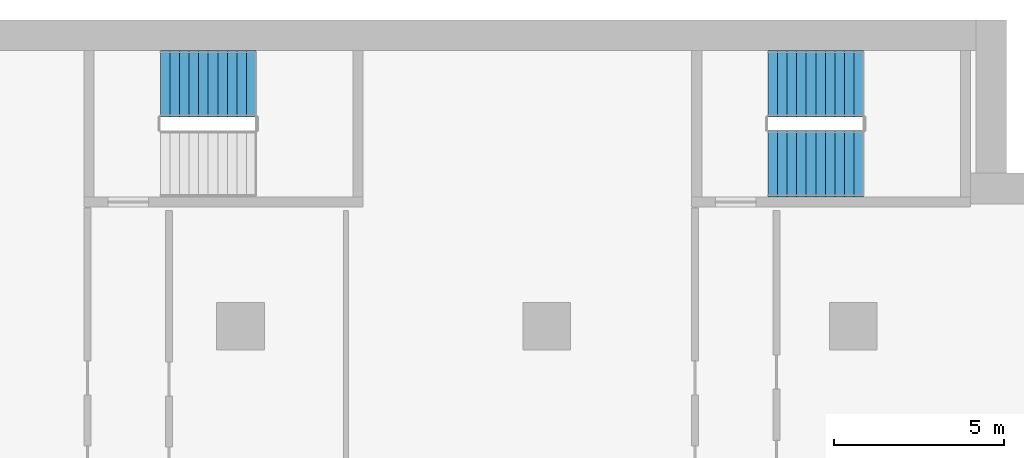
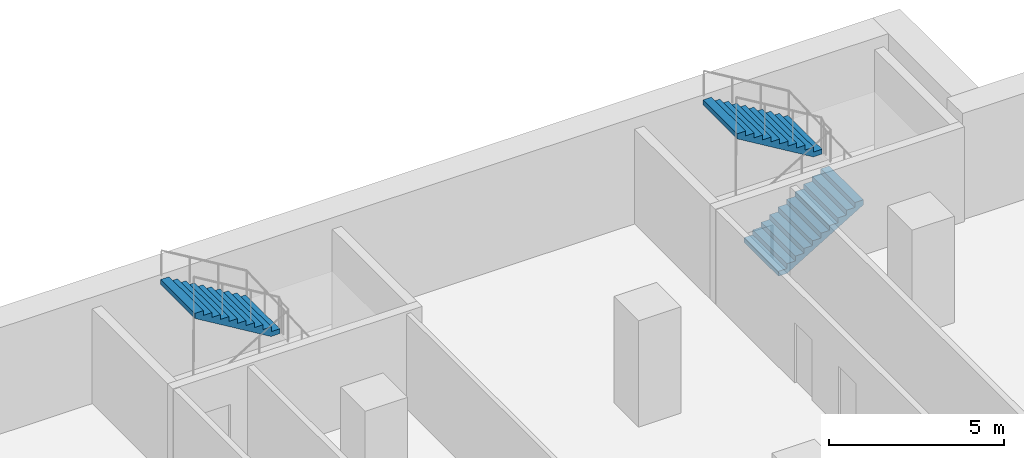
# One storey, part 23 of 29: 3 stair flights, 2 elements without a shape of their own.
"""IFC4 building model written with IfcOpenShell, lengths in metres."""

from ifc_helpers import new_model, si_unit, direction, frame, origin, place, context, subcontext, project, spatial, polyline, outline, extrude, material, type_object, element, aggregate, save


model = new_model("IFC4")

# Units and contexts
model_context = context("Model", 3, precision=1e-05, world=origin(), true_north=direction((0.0, 1.0)))
body_context = subcontext(model_context, "Body", "Model", "MODEL_VIEW")
ifc_project = project(units=[si_unit("LENGTHUNIT", "METRE"), si_unit("AREAUNIT", "SQUARE_METRE"), si_unit("VOLUMEUNIT", "CUBIC_METRE"), si_unit("PLANEANGLEUNIT", "RADIAN"), si_unit("MASSUNIT", "GRAM", prefix="KILO")], contexts=[model_context])

# Site, building, storey
site_placement = place(None, origin())
site = spatial("IfcSite", under=ifc_project, at=site_placement, CompositionType="ELEMENT")
building_placement = place(site_placement, origin())
building = spatial("IfcBuilding", under=site, at=building_placement, Name="Hunhe Ridgeline Campus", CompositionType="ELEMENT")
storey_placement = place(building_placement, frame((0.0, 0.0, 69.10009765625)))
storey = spatial("IfcBuildingStorey", under=building, at=storey_placement, Name="L16", CompositionType="ELEMENT", Elevation=69.10009765625)

# Stair, stair flight
ifc_material = material(Name="Concrete C40", Category="concrete")
stair_type = type_object("IfcStairType", Name="Reinforced concrete dog-leg stair 1950 Concrete C40", PredefinedType="HALF_TURN_STAIR", material=ifc_material)
stair_1_placement = place(storey_placement, origin())
stair_1 = element("IfcStair", 1, at=stair_1_placement, inside=storey, type_object=stair_type, Name="L16 E3", PredefinedType="HALF_TURN_STAIR")
stair_flight_type = type_object("IfcStairFlightType", Name="Reinforced concrete stair flight 1950 Concrete C40", PredefinedType="STRAIGHT", material=ifc_material)
stair_flight_1_placement = place(storey_placement, frame((72.449951171875, 97.125, 1.849853515625), z_axis=(0.0, 0.0, 1.0), x_axis=(-1.0, 0.0, 0.0)))
stair_flight_1 = element("IfcStairFlight", 2, at=stair_flight_1_placement, type_object=stair_flight_type, Name="ST7 flight 2", NumberOfRisers=11, NumberOfTreads=10, PredefinedType="STRAIGHT", RiserHeight=0.168181818, TreadLength=0.28, context=body_context, shape_type="SweptSolid", body=[
    extrude(outline(polyline([(0.0, 0.0), (0.0, 0.168212890625), (0.280029296875, 0.168212890625), (0.280029296875, 0.33642578125), (0.56005859375, 0.33642578125), (0.56005859375, 0.504638671875), (0.840087890625, 0.504638671875), (0.840087890625, 0.672607421875), (1.1201171875, 0.672607421875), (1.1201171875, 0.8408203125), (1.39990234375, 0.8408203125), (1.39990234375, 1.009033203125), (1.679931640625, 1.009033203125), (1.679931640625, 1.17724609375), (1.9599609375, 1.17724609375), (1.9599609375, 1.345458984375), (2.239990234375, 1.345458984375), (2.239990234375, 1.513671875), (2.52001953125, 1.513671875), (2.52001953125, 1.681884765625), (2.800048828125, 1.681884765625), (2.800048828125, 1.85009765625), (2.800048828125, 1.5068359375), (0.291015625, 0.0), (0.0, 0.0)])), frame((0.0, 0.97509765625, 0.0), z_axis=(0.0, -1.0, 0.0), x_axis=(1.0, 0.0, 0.0)), (0.0, 0.0, 1.0), 1.949951171875),
    extrude(outline(polyline([(0.030029296875, 0.030029296875), (0.030029296875, 0.13818359375), (0.31005859375, 0.13818359375), (0.31005859375, 0.306396484375), (0.590087890625, 0.306396484375), (0.590087890625, 0.474609375), (0.8701171875, 0.474609375), (0.8701171875, 0.642578125), (1.14990234375, 0.642578125), (1.14990234375, 0.810791015625), (1.429931640625, 0.810791015625), (1.429931640625, 0.97900390625), (1.7099609375, 0.97900390625), (1.7099609375, 1.147216796875), (1.989990234375, 1.147216796875), (1.989990234375, 1.3154296875), (2.27001953125, 1.3154296875), (2.27001953125, 1.483642578125), (2.550048828125, 1.483642578125), (2.550048828125, 1.65185546875), (2.77001953125, 1.65185546875), (2.77001953125, 1.52392578125), (0.28271484375, 0.030029296875), (0.030029296875, 0.030029296875)])), frame((0.0, -0.070068359375, 0.0), z_axis=(0.0, -1.0, 0.0), x_axis=(1.0, 0.0, 0.0)), (0.0, 0.0, 1.0), 0.019775390625),
    extrude(outline(polyline([(0.030029296875, 0.030029296875), (0.030029296875, 0.13818359375), (0.31005859375, 0.13818359375), (0.31005859375, 0.306396484375), (0.590087890625, 0.306396484375), (0.590087890625, 0.474609375), (0.8701171875, 0.474609375), (0.8701171875, 0.642578125), (1.14990234375, 0.642578125), (1.14990234375, 0.810791015625), (1.429931640625, 0.810791015625), (1.429931640625, 0.97900390625), (1.7099609375, 0.97900390625), (1.7099609375, 1.147216796875), (1.989990234375, 1.147216796875), (1.989990234375, 1.3154296875), (2.27001953125, 1.3154296875), (2.27001953125, 1.483642578125), (2.550048828125, 1.483642578125), (2.550048828125, 1.65185546875), (2.77001953125, 1.65185546875), (2.77001953125, 1.52392578125), (0.28271484375, 0.030029296875), (0.030029296875, 0.030029296875)])), frame((0.0, 0.010009765625, 0.0), z_axis=(0.0, -1.0, 0.0), x_axis=(1.0, 0.0, 0.0)), (0.0, 0.0, 1.0), 0.019775390625),
    extrude(outline(polyline([(0.030029296875, 0.030029296875), (0.030029296875, 0.13818359375), (0.31005859375, 0.13818359375), (0.31005859375, 0.306396484375), (0.590087890625, 0.306396484375), (0.590087890625, 0.474609375), (0.8701171875, 0.474609375), (0.8701171875, 0.642578125), (1.14990234375, 0.642578125), (1.14990234375, 0.810791015625), (1.429931640625, 0.810791015625), (1.429931640625, 0.97900390625), (1.7099609375, 0.97900390625), (1.7099609375, 1.147216796875), (1.989990234375, 1.147216796875), (1.989990234375, 1.3154296875), (2.27001953125, 1.3154296875), (2.27001953125, 1.483642578125), (2.550048828125, 1.483642578125), (2.550048828125, 1.65185546875), (2.77001953125, 1.65185546875), (2.77001953125, 1.52392578125), (0.28271484375, 0.030029296875), (0.030029296875, 0.030029296875)])), frame((0.0, 0.090087890625, 0.0), z_axis=(0.0, -1.0, 0.0), x_axis=(1.0, 0.0, 0.0)), (0.0, 0.0, 1.0), 0.019775390625),
])
aggregate(stair_1, [stair_flight_1])

# Stair, stair flights
stair_2_placement = place(storey_placement, origin())
stair_2 = element("IfcStair", 3, at=stair_2_placement, inside=storey, type_object=stair_type, Name="L16 E4", PredefinedType="HALF_TURN_STAIR")
stair_flight_2_placement = place(storey_placement, frame((87.5, 94.77490234375, 0.0), z_axis=(0.0, 0.0, 1.0), x_axis=(1.0, 0.0, 0.0)))
stair_flight_2 = element("IfcStairFlight", 4, at=stair_flight_2_placement, type_object=stair_flight_type, Name="ST8 flight 1", NumberOfRisers=11, NumberOfTreads=10, PredefinedType="STRAIGHT", RiserHeight=0.168181818, TreadLength=0.28, context=body_context, shape_type="SweptSolid", body=[
    extrude(outline(polyline([(0.0, 0.0), (0.0, 0.168212890625), (0.280029296875, 0.168212890625), (0.280029296875, 0.33642578125), (0.56005859375, 0.33642578125), (0.56005859375, 0.504638671875), (0.840087890625, 0.504638671875), (0.840087890625, 0.672607421875), (1.1201171875, 0.672607421875), (1.1201171875, 0.8408203125), (1.39990234375, 0.8408203125), (1.39990234375, 1.009033203125), (1.679931640625, 1.009033203125), (1.679931640625, 1.17724609375), (1.9599609375, 1.17724609375), (1.9599609375, 1.345458984375), (2.239990234375, 1.345458984375), (2.239990234375, 1.513671875), (2.52001953125, 1.513671875), (2.52001953125, 1.681884765625), (2.800048828125, 1.681884765625), (2.800048828125, 1.85009765625), (2.800048828125, 1.5068359375), (0.291015625, 0.0), (0.0, 0.0)])), frame((0.0, 0.97509765625, 0.0), z_axis=(0.0, -1.0, 0.0), x_axis=(1.0, 0.0, 0.0)), (0.0, 0.0, 1.0), 1.949951171875),
    extrude(outline(polyline([(0.030029296875, 0.030029296875), (0.030029296875, 0.13818359375), (0.31005859375, 0.13818359375), (0.31005859375, 0.306396484375), (0.590087890625, 0.306396484375), (0.590087890625, 0.474609375), (0.8701171875, 0.474609375), (0.8701171875, 0.642578125), (1.14990234375, 0.642578125), (1.14990234375, 0.810791015625), (1.429931640625, 0.810791015625), (1.429931640625, 0.97900390625), (1.7099609375, 0.97900390625), (1.7099609375, 1.147216796875), (1.989990234375, 1.147216796875), (1.989990234375, 1.3154296875), (2.27001953125, 1.3154296875), (2.27001953125, 1.483642578125), (2.550048828125, 1.483642578125), (2.550048828125, 1.65185546875), (2.77001953125, 1.65185546875), (2.77001953125, 1.52392578125), (0.28271484375, 0.030029296875), (0.030029296875, 0.030029296875)])), frame((0.0, -0.070068359375, 0.0), z_axis=(0.0, -1.0, 0.0), x_axis=(1.0, 0.0, 0.0)), (0.0, 0.0, 1.0), 0.019775390625),
    extrude(outline(polyline([(0.030029296875, 0.030029296875), (0.030029296875, 0.13818359375), (0.31005859375, 0.13818359375), (0.31005859375, 0.306396484375), (0.590087890625, 0.306396484375), (0.590087890625, 0.474609375), (0.8701171875, 0.474609375), (0.8701171875, 0.642578125), (1.14990234375, 0.642578125), (1.14990234375, 0.810791015625), (1.429931640625, 0.810791015625), (1.429931640625, 0.97900390625), (1.7099609375, 0.97900390625), (1.7099609375, 1.147216796875), (1.989990234375, 1.147216796875), (1.989990234375, 1.3154296875), (2.27001953125, 1.3154296875), (2.27001953125, 1.483642578125), (2.550048828125, 1.483642578125), (2.550048828125, 1.65185546875), (2.77001953125, 1.65185546875), (2.77001953125, 1.52392578125), (0.28271484375, 0.030029296875), (0.030029296875, 0.030029296875)])), frame((0.0, 0.010009765625, 0.0), z_axis=(0.0, -1.0, 0.0), x_axis=(1.0, 0.0, 0.0)), (0.0, 0.0, 1.0), 0.019775390625),
    extrude(outline(polyline([(0.030029296875, 0.030029296875), (0.030029296875, 0.13818359375), (0.31005859375, 0.13818359375), (0.31005859375, 0.306396484375), (0.590087890625, 0.306396484375), (0.590087890625, 0.474609375), (0.8701171875, 0.474609375), (0.8701171875, 0.642578125), (1.14990234375, 0.642578125), (1.14990234375, 0.810791015625), (1.429931640625, 0.810791015625), (1.429931640625, 0.97900390625), (1.7099609375, 0.97900390625), (1.7099609375, 1.147216796875), (1.989990234375, 1.147216796875), (1.989990234375, 1.3154296875), (2.27001953125, 1.3154296875), (2.27001953125, 1.483642578125), (2.550048828125, 1.483642578125), (2.550048828125, 1.65185546875), (2.77001953125, 1.65185546875), (2.77001953125, 1.52392578125), (0.28271484375, 0.030029296875), (0.030029296875, 0.030029296875)])), frame((0.0, 0.090087890625, 0.0), z_axis=(0.0, -1.0, 0.0), x_axis=(1.0, 0.0, 0.0)), (0.0, 0.0, 1.0), 0.019775390625),
])
stair_flight_3_placement = place(storey_placement, frame((90.300048828125, 97.125, 1.849853515625), z_axis=(0.0, 0.0, 1.0), x_axis=(-1.0, 0.0, 0.0)))
stair_flight_3 = element("IfcStairFlight", 5, at=stair_flight_3_placement, type_object=stair_flight_type, Name="ST8 flight 2", NumberOfRisers=11, NumberOfTreads=10, PredefinedType="STRAIGHT", RiserHeight=0.168181818, TreadLength=0.28, context=body_context, shape_type="SweptSolid", body=[
    extrude(outline(polyline([(0.0, 0.0), (0.0, 0.168212890625), (0.280029296875, 0.168212890625), (0.280029296875, 0.33642578125), (0.56005859375, 0.33642578125), (0.56005859375, 0.504638671875), (0.840087890625, 0.504638671875), (0.840087890625, 0.672607421875), (1.1201171875, 0.672607421875), (1.1201171875, 0.8408203125), (1.39990234375, 0.8408203125), (1.39990234375, 1.009033203125), (1.679931640625, 1.009033203125), (1.679931640625, 1.17724609375), (1.9599609375, 1.17724609375), (1.9599609375, 1.345458984375), (2.239990234375, 1.345458984375), (2.239990234375, 1.513671875), (2.52001953125, 1.513671875), (2.52001953125, 1.681884765625), (2.800048828125, 1.681884765625), (2.800048828125, 1.85009765625), (2.800048828125, 1.5068359375), (0.291015625, 0.0), (0.0, 0.0)])), frame((0.0, 0.97509765625, 0.0), z_axis=(0.0, -1.0, 0.0), x_axis=(1.0, 0.0, 0.0)), (0.0, 0.0, 1.0), 1.949951171875),
    extrude(outline(polyline([(0.030029296875, 0.030029296875), (0.030029296875, 0.13818359375), (0.31005859375, 0.13818359375), (0.31005859375, 0.306396484375), (0.590087890625, 0.306396484375), (0.590087890625, 0.474609375), (0.8701171875, 0.474609375), (0.8701171875, 0.642578125), (1.14990234375, 0.642578125), (1.14990234375, 0.810791015625), (1.429931640625, 0.810791015625), (1.429931640625, 0.97900390625), (1.7099609375, 0.97900390625), (1.7099609375, 1.147216796875), (1.989990234375, 1.147216796875), (1.989990234375, 1.3154296875), (2.27001953125, 1.3154296875), (2.27001953125, 1.483642578125), (2.550048828125, 1.483642578125), (2.550048828125, 1.65185546875), (2.77001953125, 1.65185546875), (2.77001953125, 1.52392578125), (0.28271484375, 0.030029296875), (0.030029296875, 0.030029296875)])), frame((0.0, -0.070068359375, 0.0), z_axis=(0.0, -1.0, 0.0), x_axis=(1.0, 0.0, 0.0)), (0.0, 0.0, 1.0), 0.019775390625),
    extrude(outline(polyline([(0.030029296875, 0.030029296875), (0.030029296875, 0.13818359375), (0.31005859375, 0.13818359375), (0.31005859375, 0.306396484375), (0.590087890625, 0.306396484375), (0.590087890625, 0.474609375), (0.8701171875, 0.474609375), (0.8701171875, 0.642578125), (1.14990234375, 0.642578125), (1.14990234375, 0.810791015625), (1.429931640625, 0.810791015625), (1.429931640625, 0.97900390625), (1.7099609375, 0.97900390625), (1.7099609375, 1.147216796875), (1.989990234375, 1.147216796875), (1.989990234375, 1.3154296875), (2.27001953125, 1.3154296875), (2.27001953125, 1.483642578125), (2.550048828125, 1.483642578125), (2.550048828125, 1.65185546875), (2.77001953125, 1.65185546875), (2.77001953125, 1.52392578125), (0.28271484375, 0.030029296875), (0.030029296875, 0.030029296875)])), frame((0.0, 0.010009765625, 0.0), z_axis=(0.0, -1.0, 0.0), x_axis=(1.0, 0.0, 0.0)), (0.0, 0.0, 1.0), 0.019775390625),
    extrude(outline(polyline([(0.030029296875, 0.030029296875), (0.030029296875, 0.13818359375), (0.31005859375, 0.13818359375), (0.31005859375, 0.306396484375), (0.590087890625, 0.306396484375), (0.590087890625, 0.474609375), (0.8701171875, 0.474609375), (0.8701171875, 0.642578125), (1.14990234375, 0.642578125), (1.14990234375, 0.810791015625), (1.429931640625, 0.810791015625), (1.429931640625, 0.97900390625), (1.7099609375, 0.97900390625), (1.7099609375, 1.147216796875), (1.989990234375, 1.147216796875), (1.989990234375, 1.3154296875), (2.27001953125, 1.3154296875), (2.27001953125, 1.483642578125), (2.550048828125, 1.483642578125), (2.550048828125, 1.65185546875), (2.77001953125, 1.65185546875), (2.77001953125, 1.52392578125), (0.28271484375, 0.030029296875), (0.030029296875, 0.030029296875)])), frame((0.0, 0.090087890625, 0.0), z_axis=(0.0, -1.0, 0.0), x_axis=(1.0, 0.0, 0.0)), (0.0, 0.0, 1.0), 0.019775390625),
])
aggregate(stair_2, [stair_flight_2, stair_flight_3])

save(model, "model.ifc")
